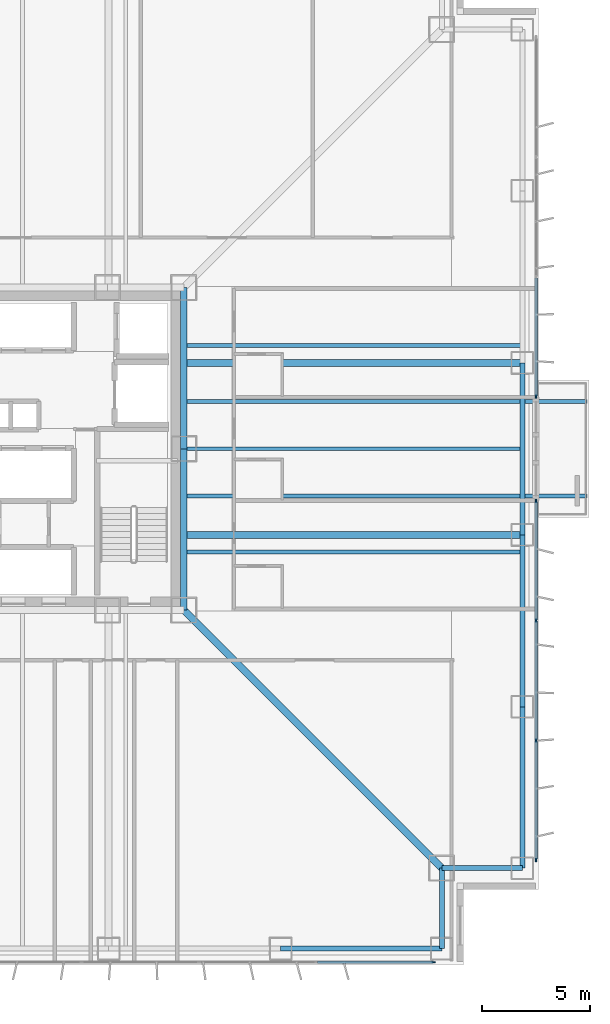
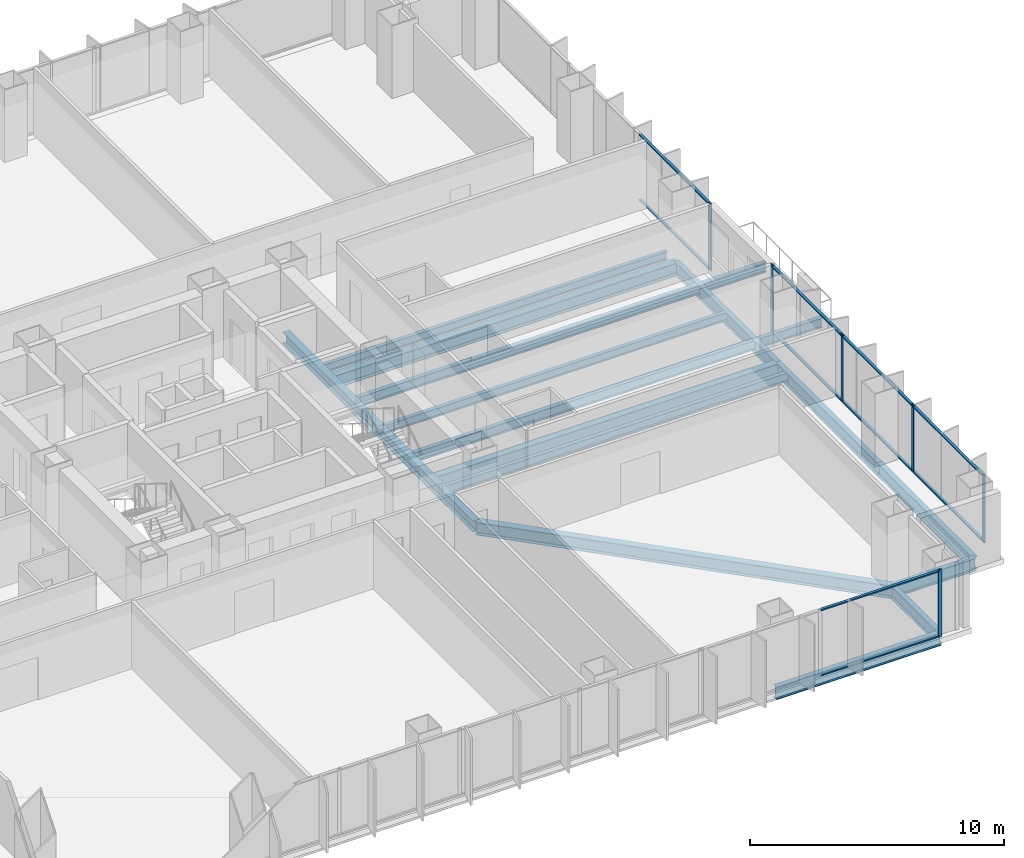
# One storey, part 6 of 16: 16 beams, 16 members, 3 elements without a shape of their own.
"""IFC4 building model written with IfcOpenShell, lengths in metres."""

from ifc_helpers import new_model, si_unit, direction, frame, origin, origin_2d, place, context, subcontext, project, spatial, rectangle, i_section, extrude, material, layer, layer_set, material_profile, profile_set, type_object, element, aggregate, save


model = new_model("IFC4")

# Units and contexts
model_context = context("Model", 3, precision=1e-05, world=origin(), true_north=direction((0.0, 1.0)))
body_context = subcontext(model_context, "Body", "Model", "MODEL_VIEW")
ifc_project = project(units=[si_unit("LENGTHUNIT", "METRE"), si_unit("AREAUNIT", "SQUARE_METRE"), si_unit("VOLUMEUNIT", "CUBIC_METRE"), si_unit("PLANEANGLEUNIT", "RADIAN"), si_unit("MASSUNIT", "GRAM", prefix="KILO")], contexts=[model_context])

# Site, building, storey
site_placement = place(None, origin())
site = spatial("IfcSite", under=ifc_project, at=site_placement, CompositionType="ELEMENT")
building_placement = place(site_placement, origin())
building = spatial("IfcBuilding", under=site, at=building_placement, Name="Trevonay Congress Spire", CompositionType="ELEMENT")
storey_placement = place(building_placement, frame((0.0, 0.0, 48.0)))
storey = spatial("IfcBuildingStorey", under=building, at=storey_placement, Name="L11", CompositionType="ELEMENT", Elevation=48.0)

# Beams
ifc_material_1 = material(Name="Steel ASTM A572 Grade 50", Category="steel")
ifc_material_profile_1 = material_profile(ifc_material_1, i_section(OverallWidth=0.194091796875, OverallDepth=0.468994140625, WebThickness=0.011474609375, FlangeThickness=0.01953125, FilletRadius=0.013916015625, at=origin_2d()), Name="W460x106")
ifc_profile_set_1 = profile_set([ifc_material_profile_1], Name="Steel ASTM A572 Grade 50")
beam_type_1 = type_object("IfcBeamType", Name="BM-BAL-LOOKOUT", PredefinedType="BEAM", material=ifc_profile_set_1)
for number, where, z_axis, x_axis, name in (
    (1, (7.5, -2.199951171875, -0.484619140625), (1.0, 0.0, 0.0), (0.0, 1.0, 0.0), "L11 structural beam LKT-L11-E1"),
    (2, (7.5, 2.199951171875, -0.484619140625), (1.0, 0.0, 0.0), (0.0, 1.0, 0.0), "L11 structural beam LKT-L11-E2"),
):
    element("IfcBeam", number, at=place(storey_placement, frame(where, z_axis=z_axis, x_axis=x_axis)), inside=storey, type_object=beam_type_1, Name=name, PredefinedType="BEAM", context=body_context, shape_type="SweptSolid", body=[
        extrude(i_section(OverallWidth=0.194091796875, OverallDepth=0.468994140625, WebThickness=0.011474609375, FlangeThickness=0.01953125, FilletRadius=0.013916015625, at=origin_2d()), origin(), (0.0, 0.0, 1.0), 18.75),
    ])
ifc_material_profile_2 = material_profile(ifc_material_1, i_section(OverallWidth=0.31201171875, OverallDepth=0.54296875, WebThickness=0.0126953125, FlangeThickness=0.020263671875, FilletRadius=0.014892578125, at=origin_2d()), Name="W530x150")
ifc_profile_set_2 = profile_set([ifc_material_profile_2], Name="Steel ASTM A572 Grade 50")
beam_type_2 = type_object("IfcBeamType", Name="BM-GIRD-W530X150", PredefinedType="BEAM", material=ifc_profile_set_2)
for number, where, z_axis, x_axis, name in (
    (3, (7.5, -7.5, -0.521484375), (0.0, 1.0, 0.0), (-1.0, 0.0, 0.0), "L11 structural beam BM-L11-CR-E1"),
    (4, (7.5, 0.0, -0.521484375), (0.0, 1.0, 0.0), (-1.0, 0.0, 0.0), "L11 structural beam BM-L11-CR-E2"),
):
    element("IfcBeam", number, at=place(storey_placement, frame(where, z_axis=z_axis, x_axis=x_axis)), inside=storey, type_object=beam_type_2, Name=name, PredefinedType="BEAM", context=body_context, shape_type="SweptSolid", body=[
        extrude(i_section(OverallWidth=0.31201171875, OverallDepth=0.54296875, WebThickness=0.0126953125, FlangeThickness=0.020263671875, FilletRadius=0.014892578125, at=origin_2d()), origin(), (0.0, 0.0, 1.0), 7.5),
    ])
ifc_material_profile_3 = material_profile(ifc_material_1, i_section(OverallWidth=0.324951171875, OverallDepth=0.615966796875, WebThickness=0.013916015625, FlangeThickness=0.021484375, FilletRadius=0.01806640625, at=origin_2d()), Name="W610x174")
ifc_profile_set_3 = profile_set([ifc_material_profile_3], Name="Steel ASTM A572 Grade 50")
beam_type_3 = type_object("IfcBeamType", Name="BM-GIRD-W610X174", PredefinedType="BEAM", material=ifc_profile_set_3)
beam_1_placement = place(storey_placement, frame((7.5, -7.5, -0.55810546875), z_axis=(0.707106781187, -0.707106781187, 0.0), x_axis=(0.707106781187, 0.707106781187, 0.0)))
element("IfcBeam", 5, at=beam_1_placement, inside=storey, type_object=beam_type_3, Name="L11 structural beam BM-L11-CDSE", PredefinedType="BEAM", context=body_context, shape_type="SweptSolid", body=[
    extrude(i_section(OverallWidth=0.324951171875, OverallDepth=0.615966796875, WebThickness=0.013916015625, FlangeThickness=0.021484375, FilletRadius=0.01806640625, at=origin_2d()), origin(), (0.0, 0.0, 1.0), 16.970458984375),
])
for number, where, z_axis, x_axis, name in (
    (6, (7.5, -4.0, -0.55810546875), (1.0, 0.0, 0.0), (0.0, 1.0, 0.0), "L11 structural beam BM-L11-GE-M"),
    (7, (7.5, 4.0, -0.55810546875), (1.0, 0.0, 0.0), (0.0, 1.0, 0.0), "L11 structural beam BM-L11-GE-P"),
):
    element("IfcBeam", number, at=place(storey_placement, frame(where, z_axis=z_axis, x_axis=x_axis)), inside=storey, type_object=beam_type_3, Name=name, PredefinedType="BEAM", context=body_context, shape_type="SweptSolid", body=[
        extrude(i_section(OverallWidth=0.324951171875, OverallDepth=0.615966796875, WebThickness=0.013916015625, FlangeThickness=0.021484375, FilletRadius=0.01806640625, at=origin_2d()), origin(), (0.0, 0.0, 1.0), 15.75),
    ])
ifc_material_profile_4 = material_profile(ifc_material_1, i_section(OverallWidth=0.22998046875, OverallDepth=0.616943359375, WebThickness=0.01318359375, FlangeThickness=0.022216796875, FilletRadius=0.01611328125, at=origin_2d()), Name="W610x140")
ifc_profile_set_4 = profile_set([ifc_material_profile_4], Name="Steel ASTM A572 Grade 50")
beam_type_4 = type_object("IfcBeamType", Name="BM-RING-W610X140", PredefinedType="BEAM", material=ifc_profile_set_4)
beam_2_placement = place(storey_placement, frame((23.25, -19.5, -0.55859375), z_axis=(0.0, 1.0, 0.0), x_axis=(-1.0, 0.0, 0.0)))
element("IfcBeam", 8, at=beam_2_placement, inside=storey, type_object=beam_type_4, Name="L11 structural beam BM-L11-PE1", PredefinedType="BEAM", context=body_context, shape_type="SweptSolid", body=[
    extrude(i_section(OverallWidth=0.22998046875, OverallDepth=0.616943359375, WebThickness=0.01318359375, FlangeThickness=0.022216796875, FilletRadius=0.01611328125, at=origin_2d()), origin(), (0.0, 0.0, 1.0), 7.5),
])
for number, where, z_axis, x_axis, name in (
    (9, (23.25, -12.0, -0.55859375), (0.0, 1.0, 0.0), (-1.0, 0.0, 0.0), "L11 structural beam BM-L11-PE2"),
    (10, (23.25, -4.0, -0.55859375), (0.0, 1.0, 0.0), (-1.0, 0.0, 0.0), "L11 structural beam BM-L11-PE3"),
):
    element("IfcBeam", number, at=place(storey_placement, frame(where, z_axis=z_axis, x_axis=x_axis)), inside=storey, type_object=beam_type_4, Name=name, PredefinedType="BEAM", context=body_context, shape_type="SweptSolid", body=[
        extrude(i_section(OverallWidth=0.22998046875, OverallDepth=0.616943359375, WebThickness=0.01318359375, FlangeThickness=0.022216796875, FilletRadius=0.01611328125, at=origin_2d()), origin(), (0.0, 0.0, 1.0), 8.0),
    ])
beam_3_placement = place(storey_placement, frame((12.0, -23.25, -0.55859375), z_axis=(1.0, 0.0, 0.0), x_axis=(0.0, 1.0, 0.0)))
element("IfcBeam", 11, at=beam_3_placement, inside=storey, type_object=beam_type_4, Name="L11 structural beam BM-L11-PS5", PredefinedType="BEAM", context=body_context, shape_type="SweptSolid", body=[
    extrude(i_section(OverallWidth=0.22998046875, OverallDepth=0.616943359375, WebThickness=0.01318359375, FlangeThickness=0.022216796875, FilletRadius=0.01611328125, at=origin_2d()), origin(), (0.0, 0.0, 1.0), 7.5),
])
for number, where, z_axis, x_axis, name in (
    (12, (19.5, -23.25, -0.55859375), (0.0, 1.0, 0.0), (-1.0, 0.0, 0.0), "L11 structural beam BM-L11-N1SE"),
    (13, (23.25, -19.5, -0.55859375), (-1.0, 0.0, 0.0), (0.0, -1.0, 0.0), "L11 structural beam BM-L11-N2SE"),
):
    element("IfcBeam", number, at=place(storey_placement, frame(where, z_axis=z_axis, x_axis=x_axis)), inside=storey, type_object=beam_type_4, Name=name, PredefinedType="BEAM", context=body_context, shape_type="SweptSolid", body=[
        extrude(i_section(OverallWidth=0.22998046875, OverallDepth=0.616943359375, WebThickness=0.01318359375, FlangeThickness=0.022216796875, FilletRadius=0.01611328125, at=origin_2d()), origin(), (0.0, 0.0, 1.0), 3.75),
    ])

# Curtain wall, member
ifc_material_2 = material(Name="Pale Anodised Aluminium EN AW-6063-T6", Category="aluminium")
ifc_layer = layer(ifc_material_2, 0.179931640625, Name="Pale Anodised Aluminium EN AW-6063-T6")
ifc_layer_set = layer_set([ifc_layer], Name="Pale Anodised Aluminium EN AW-6063-T6")
curtain_wall_type = type_object("IfcCurtainWallType", Name="CW-SYS02-HOTEL-PALE-METAL", PredefinedType="NOTDEFINED", material=ifc_layer_set)
curtain_wall_1_placement = place(storey_placement, origin())
curtain_wall_1 = element("IfcCurtainWall", 14, at=curtain_wall_1_placement, inside=storey, type_object=curtain_wall_type, Name="L11 S unitised curtain wall", PredefinedType="NOTDEFINED")
ifc_material_profile_5 = material_profile(ifc_material_2, rectangle(XDim=0.06005859375, YDim=0.159912109375, at=origin_2d()), Name="CW-MULLION-160-ALUMINIUM")
ifc_profile_set_5 = profile_set([ifc_material_profile_5], Name="Pale Anodised Aluminium EN AW-6063-T6")
member_type_1 = type_object("IfcMemberType", Name="CW-MULLION-160-ALUMINIUM", PredefinedType="MULLION", material=ifc_profile_set_5)
member_1_placement = place(storey_placement, frame((19.1201171875, -23.8798828125, 0.0), z_axis=(0.0, 0.0, 1.0), x_axis=(0.0, 1.0, 0.0)))
member_1 = element("IfcMember", 15, at=member_1_placement, type_object=member_type_1, Name="CW02 mullion 8", PredefinedType="MULLION", context=body_context, shape_type="SweptSolid", body=[
    extrude(rectangle(XDim=0.06005859375, YDim=0.159912109375, at=origin_2d()), origin(), (0.0, 0.0, 1.0), 3.25),
])

# Curtain wall, members
curtain_wall_2_placement = place(storey_placement, origin())
curtain_wall_2 = element("IfcCurtainWall", 16, at=curtain_wall_2_placement, inside=storey, type_object=curtain_wall_type, Name="L11 EA unitised curtain wall", PredefinedType="NOTDEFINED")
member_2_placement = place(storey_placement, frame((23.8798828125, -19.1201171875, 0.0), z_axis=(0.0, 0.0, 1.0), x_axis=(-1.0, 0.0, 0.0)))
member_2 = element("IfcMember", 17, at=member_2_placement, type_object=member_type_1, Name="CW02 mullion 1", PredefinedType="MULLION", context=body_context, shape_type="SweptSolid", body=[
    extrude(rectangle(XDim=0.06005859375, YDim=0.159912109375, at=origin_2d()), origin(), (0.0, 0.0, 1.0), 3.25),
])
member_3_placement = place(storey_placement, frame((23.8798828125, -13.566650390625, 0.0), z_axis=(0.0, 0.0, 1.0), x_axis=(-1.0, 0.0, 0.0)))
member_3 = element("IfcMember", 18, at=member_3_placement, type_object=member_type_1, Name="CW02 mullion 2", PredefinedType="MULLION", context=body_context, shape_type="SweptSolid", body=[
    extrude(rectangle(XDim=0.06005859375, YDim=0.159912109375, at=origin_2d()), origin(), (0.0, 0.0, 1.0), 3.25),
])
member_4_placement = place(storey_placement, frame((23.8798828125, -7.9833984375, 0.0), z_axis=(0.0, 0.0, 1.0), x_axis=(-1.0, 0.0, 0.0)))
member_4 = element("IfcMember", 19, at=member_4_placement, type_object=member_type_1, Name="CW02 mullion 3", PredefinedType="MULLION", context=body_context, shape_type="SweptSolid", body=[
    extrude(rectangle(XDim=0.06005859375, YDim=0.159912109375, at=origin_2d()), origin(), (0.0, 0.0, 1.0), 3.25),
])
member_5_placement = place(storey_placement, frame((23.8798828125, -2.429931640625, 0.0), z_axis=(0.0, 0.0, 1.0), x_axis=(-1.0, 0.0, 0.0)))
member_5 = element("IfcMember", 20, at=member_5_placement, type_object=member_type_1, Name="CW02 mullion 4", PredefinedType="MULLION", context=body_context, shape_type="SweptSolid", body=[
    extrude(rectangle(XDim=0.06005859375, YDim=0.159912109375, at=origin_2d()), origin(), (0.0, 0.0, 1.0), 3.25),
])

# Curtain wall, member
curtain_wall_3_placement = place(storey_placement, origin())
curtain_wall_3 = element("IfcCurtainWall", 21, at=curtain_wall_3_placement, inside=storey, type_object=curtain_wall_type, Name="L11 EB unitised curtain wall", PredefinedType="NOTDEFINED")
member_6_placement = place(storey_placement, frame((23.8798828125, 2.429931640625, 0.0), z_axis=(0.0, 0.0, 1.0), x_axis=(-1.0, 0.0, 0.0)))
member_6 = element("IfcMember", 22, at=member_6_placement, type_object=member_type_1, Name="CW02 mullion 1", PredefinedType="MULLION", context=body_context, shape_type="SweptSolid", body=[
    extrude(rectangle(XDim=0.06005859375, YDim=0.159912109375, at=origin_2d()), origin(), (0.0, 0.0, 1.0), 3.25),
])

# Member
ifc_material_profile_6 = material_profile(ifc_material_2, rectangle(XDim=0.1201171875, YDim=0.06005859375, at=origin_2d()), Name="CW-TRANSOM-120-ALUMINIUM")
ifc_profile_set_6 = profile_set([ifc_material_profile_6], Name="Pale Anodised Aluminium EN AW-6063-T6")
member_type_2 = type_object("IfcMemberType", Name="CW-TRANSOM-120-ALUMINIUM", PredefinedType="USERDEFINED", material=ifc_profile_set_6)
member_7_placement = place(storey_placement, frame((13.70849609375, -23.8798828125, 0.06005859375), z_axis=(1.0, 0.0, 0.0), x_axis=(0.0, 1.0, 0.0)))
member_7 = element("IfcMember", 23, at=member_7_placement, type_object=member_type_2, Name="CW02 transom 7.1", ObjectType="TRANSOM", PredefinedType="USERDEFINED", context=body_context, shape_type="SweptSolid", body=[
    extrude(rectangle(XDim=0.1201171875, YDim=0.06005859375, at=origin_2d()), origin(), (0.0, 0.0, 1.0), 5.381591796875),
])

member_8_placement = place(storey_placement, frame((13.70849609375, -23.8798828125, 3.18994140625), z_axis=(1.0, 0.0, 0.0), x_axis=(0.0, 1.0, 0.0)))
member_8 = element("IfcMember", 24, at=member_8_placement, type_object=member_type_2, Name="CW02 transom 7.2", ObjectType="TRANSOM", PredefinedType="USERDEFINED", context=body_context, shape_type="SweptSolid", body=[
    extrude(rectangle(XDim=0.1201171875, YDim=0.06005859375, at=origin_2d()), origin(), (0.0, 0.0, 1.0), 5.381591796875),
])

aggregate(curtain_wall_1, [member_1, member_7, member_8])

member_9_placement = place(storey_placement, frame((23.8798828125, -19.090087890625, 0.06005859375), z_axis=(0.0, 1.0, 0.0), x_axis=(-1.0, 0.0, 0.0)))
member_9 = element("IfcMember", 25, at=member_9_placement, type_object=member_type_2, Name="CW02 transom 1.1", ObjectType="TRANSOM", PredefinedType="USERDEFINED", context=body_context, shape_type="SweptSolid", body=[
    extrude(rectangle(XDim=0.1201171875, YDim=0.06005859375, at=origin_2d()), origin(), (0.0, 0.0, 1.0), 5.493408203125),
])

member_10_placement = place(storey_placement, frame((23.8798828125, -19.090087890625, 3.18994140625), z_axis=(0.0, 1.0, 0.0), x_axis=(-1.0, 0.0, 0.0)))
member_10 = element("IfcMember", 26, at=member_10_placement, type_object=member_type_2, Name="CW02 transom 1.2", ObjectType="TRANSOM", PredefinedType="USERDEFINED", context=body_context, shape_type="SweptSolid", body=[
    extrude(rectangle(XDim=0.1201171875, YDim=0.06005859375, at=origin_2d()), origin(), (0.0, 0.0, 1.0), 5.493408203125),
])

member_11_placement = place(storey_placement, frame((23.8798828125, -13.53662109375, 0.06005859375), z_axis=(0.0, 1.0, 0.0), x_axis=(-1.0, 0.0, 0.0)))
member_11 = element("IfcMember", 27, at=member_11_placement, type_object=member_type_2, Name="CW02 transom 2.1", ObjectType="TRANSOM", PredefinedType="USERDEFINED", context=body_context, shape_type="SweptSolid", body=[
    extrude(rectangle(XDim=0.1201171875, YDim=0.06005859375, at=origin_2d()), origin(), (0.0, 0.0, 1.0), 5.523193359375),
])

member_12_placement = place(storey_placement, frame((23.8798828125, -13.53662109375, 3.18994140625), z_axis=(0.0, 1.0, 0.0), x_axis=(-1.0, 0.0, 0.0)))
member_12 = element("IfcMember", 28, at=member_12_placement, type_object=member_type_2, Name="CW02 transom 2.2", ObjectType="TRANSOM", PredefinedType="USERDEFINED", context=body_context, shape_type="SweptSolid", body=[
    extrude(rectangle(XDim=0.1201171875, YDim=0.06005859375, at=origin_2d()), origin(), (0.0, 0.0, 1.0), 5.523193359375),
])

member_13_placement = place(storey_placement, frame((23.8798828125, -7.953369140625, 0.06005859375), z_axis=(0.0, 1.0, 0.0), x_axis=(-1.0, 0.0, 0.0)))
member_13 = element("IfcMember", 29, at=member_13_placement, type_object=member_type_2, Name="CW02 transom 3.1", ObjectType="TRANSOM", PredefinedType="USERDEFINED", context=body_context, shape_type="SweptSolid", body=[
    extrude(rectangle(XDim=0.1201171875, YDim=0.06005859375, at=origin_2d()), origin(), (0.0, 0.0, 1.0), 5.493408203125),
])

member_14_placement = place(storey_placement, frame((23.8798828125, -7.953369140625, 3.18994140625), z_axis=(0.0, 1.0, 0.0), x_axis=(-1.0, 0.0, 0.0)))
member_14 = element("IfcMember", 30, at=member_14_placement, type_object=member_type_2, Name="CW02 transom 3.2", ObjectType="TRANSOM", PredefinedType="USERDEFINED", context=body_context, shape_type="SweptSolid", body=[
    extrude(rectangle(XDim=0.1201171875, YDim=0.06005859375, at=origin_2d()), origin(), (0.0, 0.0, 1.0), 5.493408203125),
])

aggregate(curtain_wall_2, [member_2, member_3, member_4, member_5, member_9, member_10, member_11, member_12, member_13, member_14])

member_15_placement = place(storey_placement, frame((23.8798828125, 2.4599609375, 0.06005859375), z_axis=(0.0, 1.0, 0.0), x_axis=(-1.0, 0.0, 0.0)))
member_15 = element("IfcMember", 31, at=member_15_placement, type_object=member_type_2, Name="CW02 transom 1.1", ObjectType="TRANSOM", PredefinedType="USERDEFINED", context=body_context, shape_type="SweptSolid", body=[
    extrude(rectangle(XDim=0.1201171875, YDim=0.06005859375, at=origin_2d()), origin(), (0.0, 0.0, 1.0), 5.493408203125),
])

member_16_placement = place(storey_placement, frame((23.8798828125, 2.4599609375, 3.18994140625), z_axis=(0.0, 1.0, 0.0), x_axis=(-1.0, 0.0, 0.0)))
member_16 = element("IfcMember", 32, at=member_16_placement, type_object=member_type_2, Name="CW02 transom 1.2", ObjectType="TRANSOM", PredefinedType="USERDEFINED", context=body_context, shape_type="SweptSolid", body=[
    extrude(rectangle(XDim=0.1201171875, YDim=0.06005859375, at=origin_2d()), origin(), (0.0, 0.0, 1.0), 5.493408203125),
])

aggregate(curtain_wall_3, [member_6, member_15, member_16])

# Beams
ifc_material_profile_7 = material_profile(ifc_material_1, i_section(OverallWidth=0.177978515625, OverallDepth=0.406982421875, WebThickness=0.0078125, FlangeThickness=0.0126953125, FilletRadius=0.012939453125, at=origin_2d()), Name="W410x60")
ifc_profile_set_7 = profile_set([ifc_material_profile_7], Name="Steel ASTM A572 Grade 50")
beam_type_5 = type_object("IfcBeamType", Name="JS-COMP-W410X60", PredefinedType="JOIST", material=ifc_profile_set_7)
for number, where, z_axis, x_axis, name in (
    (33, (7.5, -4.800048828125, -0.45361328125), (1.0, 0.0, 0.0), (0.0, 1.0, 0.0), "L11 structural beam JS-L11-EW-E1"),
    (34, (7.5, 0.0, -0.45361328125), (1.0, 0.0, 0.0), (0.0, 1.0, 0.0), "L11 structural beam JS-L11-EW-E2"),
    (35, (7.5, 4.800048828125, -0.45361328125), (1.0, 0.0, 0.0), (0.0, 1.0, 0.0), "L11 structural beam JS-L11-EW-E3"),
):
    element("IfcBeam", number, at=place(storey_placement, frame(where, z_axis=z_axis, x_axis=x_axis)), inside=storey, type_object=beam_type_5, Name=name, PredefinedType="JOIST", context=body_context, shape_type="SweptSolid", body=[
        extrude(i_section(OverallWidth=0.177978515625, OverallDepth=0.406982421875, WebThickness=0.0078125, FlangeThickness=0.0126953125, FilletRadius=0.012939453125, at=origin_2d()), origin(), (0.0, 0.0, 1.0), 15.75),
    ])

save(model, "model.ifc")
